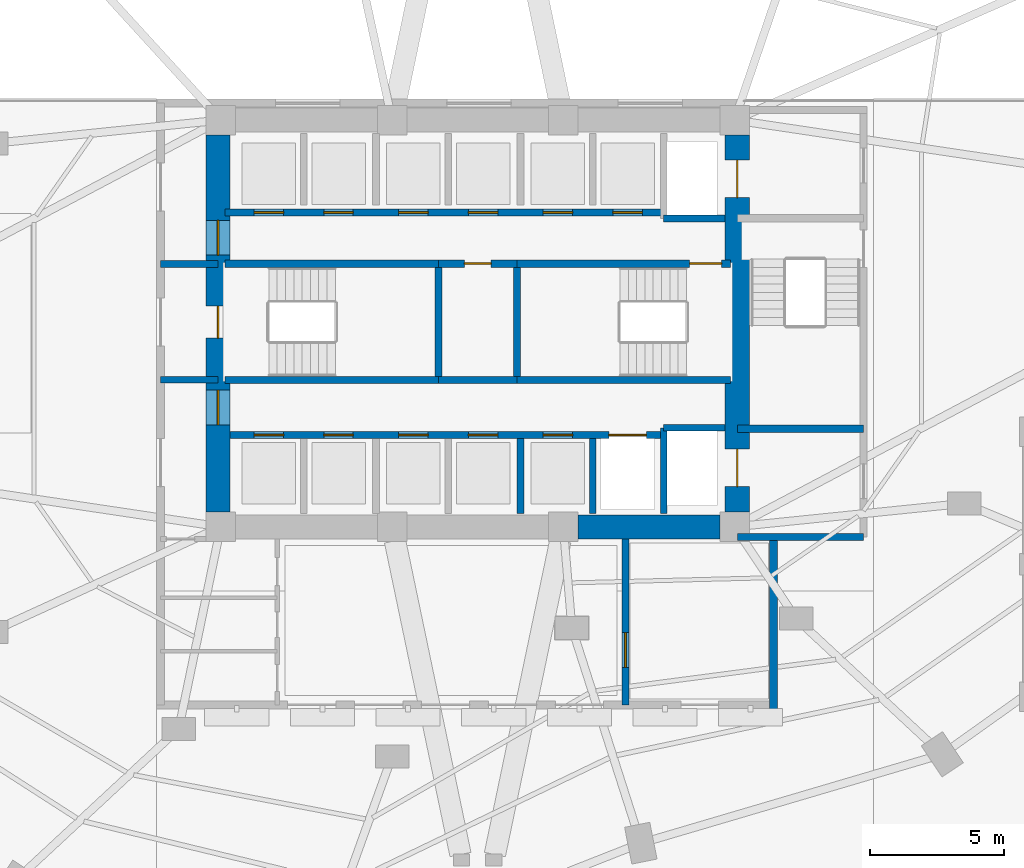
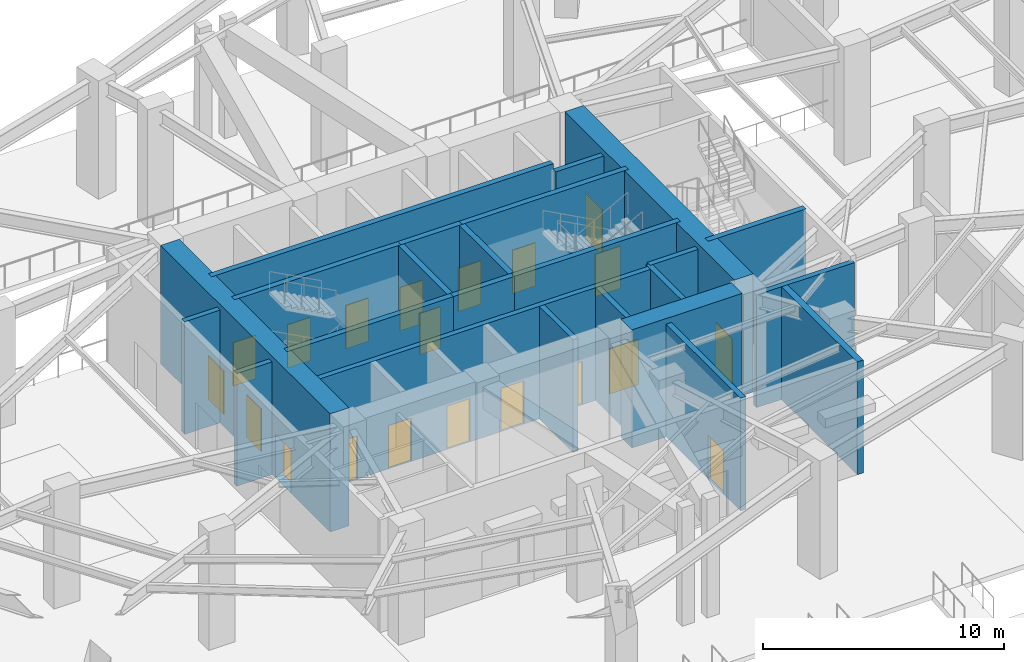
# One storey, part 9 of 14: 24 walls, 20 doors, 20 openings.
"""IFC4 building model written with IfcOpenShell, lengths in metres."""

from ifc_helpers import new_model, si_unit, direction, frame, frame_2d, origin, place, context, subcontext, project, spatial, rectangle, extrude, material, layer, layer_set, type_object, element, fill, save


model = new_model("IFC4")

# Units and contexts
model_context = context("Model", 3, precision=1e-05, world=origin(), true_north=direction((0.0, 1.0)))
body_context = subcontext(model_context, "Body", "Model", "MODEL_VIEW")
ifc_project = project(units=[si_unit("LENGTHUNIT", "METRE"), si_unit("AREAUNIT", "SQUARE_METRE"), si_unit("VOLUMEUNIT", "CUBIC_METRE"), si_unit("PLANEANGLEUNIT", "RADIAN"), si_unit("MASSUNIT", "GRAM", prefix="KILO")], contexts=[model_context])

# Site, building, storey
site_placement = place(None, origin())
site = spatial("IfcSite", under=ifc_project, at=site_placement, CompositionType="ELEMENT")
building_placement = place(site_placement, origin())
building = spatial("IfcBuilding", under=site, at=building_placement, Name="Lazwardi Medical Tower", CompositionType="ELEMENT")
storey_placement = place(building_placement, origin())
storey = spatial("IfcBuildingStorey", under=building, at=storey_placement, Name="L00", CompositionType="ELEMENT", Elevation=0.0)

# Wall, openings, doors
ifc_material_1 = material(Name="Concrete C80/95", Category="concrete")
ifc_layer_1 = layer(ifc_material_1, 0.89990234375)
ifc_layer_set_1 = layer_set([ifc_layer_1], Name="Concrete C80/95")
wall_type_1 = type_object("IfcWallType", Name="WL-CORE-900", PredefinedType="SHEAR", material=ifc_layer_set_1)
wall_1_placement = place(storey_placement, frame((26.300048828125, 20.949951171875, 0.0), z_axis=(0.0, 0.0, 1.0), x_axis=(0.0, 1.0, 0.0)))
wall_1 = element("IfcWall", 1, at=wall_1_placement, inside=storey, type_object=wall_type_1, Name="Core wall CW-S1 west L00", PredefinedType="SHEAR", context=body_context, shape_type="SweptSolid", body=[
    extrude(rectangle(XDim=14.10009765625, YDim=0.89990234375, at=frame_2d((7.050048828125, 0.0))), origin(), (0.0, 0.0, 1.0), 6.0),
])
opening_1_placement = place(wall_1_placement, frame((6.5, 0.0, 0.0)))
opening_1 = element("IfcOpeningElement", 2, at=opening_1_placement, cuts=wall_1, Name="Opening D-L00-009", PredefinedType="OPENING", context=body_context, shape_type="SweptSolid", body=[
    extrude(rectangle(XDim=1.199951171875, YDim=2.14990234375, at=frame_2d((0.60009765625, 1.074951171875))), frame((0.0, 0.4599609375, 0.0), z_axis=(0.0, -1.0, 0.0), x_axis=(1.0, 0.0, 0.0)), (0.0, 0.0, 1.0), 0.919921875),
])
opening_2_placement = place(wall_1_placement, frame((9.60009765625, 0.0, 0.0)))
opening_2 = element("IfcOpeningElement", 3, at=opening_2_placement, cuts=wall_1, Name="Opening D-L00-006", PredefinedType="OPENING", context=body_context, shape_type="SweptSolid", body=[
    extrude(rectangle(XDim=1.300048828125, YDim=2.199951171875, at=frame_2d((0.64990234375, 1.10009765625))), frame((0.0, 0.4599609375, 0.0), z_axis=(0.0, -1.0, 0.0), x_axis=(1.0, 0.0, 0.0)), (0.0, 0.0, 1.0), 0.919921875),
])
opening_3_placement = place(wall_1_placement, frame((3.260009765625, 0.0, 0.0)))
opening_3 = element("IfcOpeningElement", 4, at=opening_3_placement, cuts=wall_1, Name="Opening D-L00-007", PredefinedType="OPENING", context=body_context, shape_type="SweptSolid", body=[
    extrude(rectangle(XDim=1.300048828125, YDim=2.199951171875, at=frame_2d((0.64990234375, 1.10009765625))), frame((0.0, 0.4599609375, 0.0), z_axis=(0.0, -1.0, 0.0), x_axis=(1.0, 0.0, 0.0)), (0.0, 0.0, 1.0), 0.919921875),
])
ifc_material_2 = material(Name="Fire-rated steel leaf and frame", Category="steel")
door_type_1 = type_object("IfcDoorType", Name="DR-FFL-1300", OperationType="NOTDEFINED", PredefinedType="DOOR", material=ifc_material_2)
door_1_placement = place(opening_2_placement, origin())
door_1 = element("IfcDoor", 5, at=door_1_placement, inside=storey, type_object=door_type_1, Name="L00 North Lift Lobby Door", OperationType="SINGLE_SWING_LEFT", OverallHeight=2.199951171875, OverallWidth=1.300048828125, PredefinedType="DOOR", context=body_context, shape_type="SweptSolid", body=[
    extrude(rectangle(XDim=1.300048828125, YDim=2.199951171875, at=frame_2d((0.64990234375, 1.10009765625))), frame((0.0, 0.02490234375, 0.0), z_axis=(0.0, -1.0, 0.0), x_axis=(1.0, 0.0, 0.0)), (0.0, 0.0, 1.0), 0.050048828125),
])
fill(opening_2, door_1)
door_2_placement = place(opening_3_placement, origin())
door_2 = element("IfcDoor", 6, at=door_2_placement, inside=storey, type_object=door_type_1, Name="L00 South Lift Lobby Door", OperationType="SINGLE_SWING_RIGHT", OverallHeight=2.199951171875, OverallWidth=1.300048828125, PredefinedType="DOOR", context=body_context, shape_type="SweptSolid", body=[
    extrude(rectangle(XDim=1.300048828125, YDim=2.199951171875, at=frame_2d((0.64990234375, 1.10009765625))), frame((0.0, 0.02490234375, 0.0), z_axis=(0.0, -1.0, 0.0), x_axis=(1.0, 0.0, 0.0)), (0.0, 0.0, 1.0), 0.050048828125),
])
fill(opening_3, door_2)
door_type_2 = type_object("IfcDoorType", Name="DR-STR-1200", OperationType="NOTDEFINED", PredefinedType="DOOR", material=ifc_material_2)
door_3_placement = place(opening_1_placement, origin())
door_3 = element("IfcDoor", 7, at=door_3_placement, inside=storey, type_object=door_type_2, Name="L00 Exit Stair ST1 Door", OperationType="SINGLE_SWING_LEFT", OverallHeight=2.14990234375, OverallWidth=1.199951171875, PredefinedType="DOOR", context=body_context, shape_type="SweptSolid", body=[
    extrude(rectangle(XDim=1.199951171875, YDim=2.14990234375, at=frame_2d((0.60009765625, 1.074951171875))), frame((0.0, 0.02490234375, 0.0), z_axis=(0.0, -1.0, 0.0), x_axis=(1.0, 0.0, 0.0)), (0.0, 0.0, 1.0), 0.050048828125),
])
fill(opening_1, door_3)

wall_2_placement = place(storey_placement, frame((45.699951171875, 20.949951171875, 0.0), z_axis=(0.0, 0.0, 1.0), x_axis=(0.0, 1.0, 0.0)))
wall_2 = element("IfcWall", 8, at=wall_2_placement, inside=storey, type_object=wall_type_1, Name="Core wall CW-S1 east L00", PredefinedType="SHEAR", context=body_context, shape_type="SweptSolid", body=[
    extrude(rectangle(XDim=14.10009765625, YDim=0.89990234375, at=frame_2d((7.050048828125, 0.0))), origin(), (0.0, 0.0, 1.0), 6.0),
])
opening_4_placement = place(wall_2_placement, frame((11.75, 0.0, 0.0)))
opening_4 = element("IfcOpeningElement", 9, at=opening_4_placement, cuts=wall_2, Name="Opening LD-L00-001", PredefinedType="OPENING", context=body_context, shape_type="SweptSolid", body=[
    extrude(rectangle(XDim=1.39990234375, YDim=2.300048828125, at=frame_2d((0.699951171875, 1.14990234375))), frame((0.0, 0.4599609375, 0.0), z_axis=(0.0, -1.0, 0.0), x_axis=(1.0, 0.0, 0.0)), (0.0, 0.0, 1.0), 0.919921875),
])
opening_5_placement = place(wall_2_placement, frame((0.949951171875, 0.0, 0.0)))
opening_5 = element("IfcOpeningElement", 10, at=opening_5_placement, cuts=wall_2, Name="Opening LD-L00-002", PredefinedType="OPENING", context=body_context, shape_type="SweptSolid", body=[
    extrude(rectangle(XDim=1.39990234375, YDim=2.300048828125, at=frame_2d((0.699951171875, 1.14990234375))), frame((0.0, 0.4599609375, 0.0), z_axis=(0.0, -1.0, 0.0), x_axis=(1.0, 0.0, 0.0)), (0.0, 0.0, 1.0), 0.919921875),
])
ifc_material_3 = material(Name="Brushed stainless steel bed-lift landing door", Category="steel")
door_type_3 = type_object("IfcDoorType", Name="DR-LFT-1400", OperationType="NOTDEFINED", PredefinedType="DOOR", material=ifc_material_3)
door_4_placement = place(opening_4_placement, origin())
door_4 = element("IfcDoor", 11, at=door_4_placement, inside=storey, type_object=door_type_3, Name="L00 Lift Landing Door FL-01", OperationType="SLIDING_TO_LEFT", OverallHeight=2.300048828125, OverallWidth=1.39990234375, PredefinedType="DOOR", context=body_context, shape_type="SweptSolid", body=[
    extrude(rectangle(XDim=1.39990234375, YDim=2.300048828125, at=frame_2d((0.699951171875, 1.14990234375))), frame((0.0, 0.02490234375, 0.0), z_axis=(0.0, -1.0, 0.0), x_axis=(1.0, 0.0, 0.0)), (0.0, 0.0, 1.0), 0.050048828125),
])
fill(opening_4, door_4)
door_5_placement = place(opening_5_placement, origin())
door_5 = element("IfcDoor", 12, at=door_5_placement, inside=storey, type_object=door_type_3, Name="L00 Lift Landing Door FL-02", OperationType="SLIDING_TO_LEFT", OverallHeight=2.300048828125, OverallWidth=1.39990234375, PredefinedType="DOOR", context=body_context, shape_type="SweptSolid", body=[
    extrude(rectangle(XDim=1.39990234375, YDim=2.300048828125, at=frame_2d((0.699951171875, 1.14990234375))), frame((0.0, 0.02490234375, 0.0), z_axis=(0.0, -1.0, 0.0), x_axis=(1.0, 0.0, 0.0)), (0.0, 0.0, 1.0), 0.050048828125),
])
fill(opening_5, door_5)

# Wall
wall_3_placement = place(storey_placement, frame((39.75, 20.39990234375, 0.0), z_axis=(0.0, 0.0, 1.0), x_axis=(1.0, 0.0, 0.0)))
element("IfcWall", 13, at=wall_3_placement, inside=storey, type_object=wall_type_1, Name="Core wall CW-S1 S3 L00", PredefinedType="SHEAR", context=body_context, shape_type="SweptSolid", body=[
    extrude(rectangle(XDim=5.300048828125, YDim=0.89990234375, at=frame_2d((2.64990234375, 0.0))), origin(), (0.0, 0.0, 1.0), 6.0),
])

# Wall, opening, door
ifc_material_4 = material(Name="Autoclaved aerated concrete blockwork", Category="masonry")
ifc_layer_2 = layer(ifc_material_4, 0.260009765625)
ifc_layer_set_2 = layer_set([ifc_layer_2], Name="Autoclaved aerated concrete blockwork")
wall_type_2 = type_object("IfcWallType", Name="WL-FCC-260", PredefinedType="SOLIDWALL", material=ifc_layer_set_2)
wall_4_placement = place(storey_placement, frame((41.52001953125, 13.75, 0.0), z_axis=(0.0, 0.0, 1.0), x_axis=(0.0, 1.0, 0.0)))
wall_4 = element("IfcWall", 14, at=wall_4_placement, inside=storey, type_object=wall_type_2, Name="L00 Fire Command Centre West wall", PredefinedType="SOLIDWALL", context=body_context, shape_type="SweptSolid", body=[
    extrude(rectangle(XDim=6.199951171875, YDim=0.260009765625, at=frame_2d((3.10009765625, 0.0))), origin(), (0.0, 0.0, 1.0), 5.719970703125),
])
opening_6_placement = place(wall_4_placement, frame((1.39990234375, 0.0, 0.0)))
opening_6 = element("IfcOpeningElement", 15, at=opening_6_placement, cuts=wall_4, Name="Opening D-L00-003", PredefinedType="OPENING", context=body_context, shape_type="SweptSolid", body=[
    extrude(rectangle(XDim=1.300048828125, YDim=2.199951171875, at=frame_2d((0.64990234375, 1.10009765625))), frame((0.0, 0.139892578125, 0.0), z_axis=(0.0, -1.0, 0.0), x_axis=(1.0, 0.0, 0.0)), (0.0, 0.0, 1.0), 0.280029296875),
])
door_6_placement = place(opening_6_placement, origin())
door_6 = element("IfcDoor", 16, at=door_6_placement, inside=storey, type_object=door_type_1, Name="L00 Fire Command Centre Interior Door", OperationType="SINGLE_SWING_LEFT", OverallHeight=2.199951171875, OverallWidth=1.300048828125, PredefinedType="DOOR", context=body_context, shape_type="SweptSolid", body=[
    extrude(rectangle(XDim=1.300048828125, YDim=2.199951171875, at=frame_2d((0.64990234375, 1.10009765625))), frame((0.0, 0.02490234375, 0.0), z_axis=(0.0, -1.0, 0.0), x_axis=(1.0, 0.0, 0.0)), (0.0, 0.0, 1.0), 0.050048828125),
])
fill(opening_6, door_6)

# Wall
ifc_material_5 = material(Name="Precast concrete C45/55", Category="concrete")
ifc_layer_3 = layer(ifc_material_5, 0.300048828125)
ifc_layer_set_3 = layer_set([ifc_layer_3], Name="Precast concrete C45/55")
wall_type_3 = type_object("IfcWallType", Name="WL-LOBBY-300", PredefinedType="SOLIDWALL", material=ifc_layer_set_3)
wall_5_placement = place(storey_placement, frame((47.050048828125, 20.14990234375, 0.0), z_axis=(0.0, 0.0, 1.0), x_axis=(0.0, -1.0, 0.0)))
element("IfcWall", 17, at=wall_5_placement, inside=storey, type_object=wall_type_3, Name="L00 East Fire Command Exterior Wall", PredefinedType="SOLIDWALL", context=body_context, shape_type="SweptSolid", body=[
    extrude(rectangle(XDim=6.5498046875, YDim=0.300048828125, at=frame_2d((3.27490234375, 0.0))), origin(), (0.0, 0.0, 1.0), 5.719970703125),
])

# Wall, openings, doors
ifc_layer_4 = layer(ifc_material_4, 0.25)
ifc_layer_set_4 = layer_set([ifc_layer_4], Name="Autoclaved aerated concrete blockwork")
wall_type_4 = type_object("IfcWallType", Name="WL-SHAFT-250", PredefinedType="SOLIDWALL", material=ifc_layer_set_4)
wall_6_placement = place(storey_placement, frame((26.75, 23.830078125, 0.0), z_axis=(0.0, 0.0, 1.0), x_axis=(1.0, 0.0, 0.0)))
wall_6 = element("IfcWall", 18, at=wall_6_placement, inside=storey, type_object=wall_type_4, Name="L00 South lift bank front wall", PredefinedType="SOLIDWALL", context=body_context, shape_type="SweptSolid", body=[
    extrude(rectangle(XDim=16.199951171875, YDim=0.25, at=frame_2d((8.10009765625, 0.0))), origin(), (0.0, 0.0, 1.0), 5.719970703125),
])
opening_7_placement = place(wall_6_placement, frame((0.89990234375, 0.0, 0.0)))
opening_7 = element("IfcOpeningElement", 19, at=opening_7_placement, cuts=wall_6, Name="Opening LD-L00-006", PredefinedType="OPENING", context=body_context, shape_type="SweptSolid", body=[
    extrude(rectangle(XDim=1.10009765625, YDim=2.199951171875, at=frame_2d((0.550048828125, 1.10009765625))), frame((0.0, 0.135009765625, 0.0), z_axis=(0.0, -1.0, 0.0), x_axis=(1.0, 0.0, 0.0)), (0.0, 0.0, 1.0), 0.27001953125),
])
opening_8_placement = place(wall_6_placement, frame((3.5, 0.0, 0.0)))
opening_8 = element("IfcOpeningElement", 20, at=opening_8_placement, cuts=wall_6, Name="Opening LD-L00-007", PredefinedType="OPENING", context=body_context, shape_type="SweptSolid", body=[
    extrude(rectangle(XDim=1.10009765625, YDim=2.199951171875, at=frame_2d((0.550048828125, 1.10009765625))), frame((0.0, 0.135009765625, 0.0), z_axis=(0.0, -1.0, 0.0), x_axis=(1.0, 0.0, 0.0)), (0.0, 0.0, 1.0), 0.27001953125),
])
opening_9_placement = place(wall_6_placement, frame((6.300048828125, 0.0, 0.0)))
opening_9 = element("IfcOpeningElement", 21, at=opening_9_placement, cuts=wall_6, Name="Opening LD-L00-010", PredefinedType="OPENING", context=body_context, shape_type="SweptSolid", body=[
    extrude(rectangle(XDim=1.10009765625, YDim=2.199951171875, at=frame_2d((0.550048828125, 1.10009765625))), frame((0.0, 0.135009765625, 0.0), z_axis=(0.0, -1.0, 0.0), x_axis=(1.0, 0.0, 0.0)), (0.0, 0.0, 1.0), 0.27001953125),
])
opening_10_placement = place(wall_6_placement, frame((8.89990234375, 0.0, 0.0)))
opening_10 = element("IfcOpeningElement", 22, at=opening_10_placement, cuts=wall_6, Name="Opening LD-L00-011", PredefinedType="OPENING", context=body_context, shape_type="SweptSolid", body=[
    extrude(rectangle(XDim=1.10009765625, YDim=2.199951171875, at=frame_2d((0.550048828125, 1.10009765625))), frame((0.0, 0.135009765625, 0.0), z_axis=(0.0, -1.0, 0.0), x_axis=(1.0, 0.0, 0.0)), (0.0, 0.0, 1.0), 0.27001953125),
])
opening_11_placement = place(wall_6_placement, frame((11.699951171875, 0.0, 0.0)))
opening_11 = element("IfcOpeningElement", 23, at=opening_11_placement, cuts=wall_6, Name="Opening LD-L00-014", PredefinedType="OPENING", context=body_context, shape_type="SweptSolid", body=[
    extrude(rectangle(XDim=1.10009765625, YDim=2.199951171875, at=frame_2d((0.550048828125, 1.10009765625))), frame((0.0, 0.135009765625, 0.0), z_axis=(0.0, -1.0, 0.0), x_axis=(1.0, 0.0, 0.0)), (0.0, 0.0, 1.0), 0.27001953125),
])
opening_12_placement = place(wall_6_placement, frame((14.14990234375, 0.0, 0.0)))
opening_12 = element("IfcOpeningElement", 24, at=opening_12_placement, cuts=wall_6, Name="Opening LD-L00-003", PredefinedType="OPENING", context=body_context, shape_type="SweptSolid", body=[
    extrude(rectangle(XDim=1.39990234375, YDim=2.300048828125, at=frame_2d((0.699951171875, 1.14990234375))), frame((0.0, 0.135009765625, 0.0), z_axis=(0.0, -1.0, 0.0), x_axis=(1.0, 0.0, 0.0)), (0.0, 0.0, 1.0), 0.27001953125),
])
ifc_material_6 = material(Name="Brushed bronze stainless steel landing door", Category="steel")
door_type_4 = type_object("IfcDoorType", Name="DR-LFT-1100", OperationType="NOTDEFINED", PredefinedType="DOOR", material=ifc_material_6)
door_7_placement = place(opening_7_placement, origin())
door_7 = element("IfcDoor", 25, at=door_7_placement, inside=storey, type_object=door_type_4, Name="L00 Lift Landing Door PL-03", OperationType="SLIDING_TO_LEFT", OverallHeight=2.199951171875, OverallWidth=1.10009765625, PredefinedType="DOOR", context=body_context, shape_type="SweptSolid", body=[
    extrude(rectangle(XDim=1.10009765625, YDim=2.199951171875, at=frame_2d((0.550048828125, 1.10009765625))), frame((0.0, 0.02490234375, 0.0), z_axis=(0.0, -1.0, 0.0), x_axis=(1.0, 0.0, 0.0)), (0.0, 0.0, 1.0), 0.050048828125),
])
fill(opening_7, door_7)
door_8_placement = place(opening_8_placement, origin())
door_8 = element("IfcDoor", 26, at=door_8_placement, inside=storey, type_object=door_type_4, Name="L00 Lift Landing Door PL-04", OperationType="SLIDING_TO_LEFT", OverallHeight=2.199951171875, OverallWidth=1.10009765625, PredefinedType="DOOR", context=body_context, shape_type="SweptSolid", body=[
    extrude(rectangle(XDim=1.10009765625, YDim=2.199951171875, at=frame_2d((0.550048828125, 1.10009765625))), frame((0.0, 0.02490234375, 0.0), z_axis=(0.0, -1.0, 0.0), x_axis=(1.0, 0.0, 0.0)), (0.0, 0.0, 1.0), 0.050048828125),
])
fill(opening_8, door_8)
door_9_placement = place(opening_9_placement, origin())
door_9 = element("IfcDoor", 27, at=door_9_placement, inside=storey, type_object=door_type_4, Name="L00 Lift Landing Door PL-07", OperationType="SLIDING_TO_LEFT", OverallHeight=2.199951171875, OverallWidth=1.10009765625, PredefinedType="DOOR", context=body_context, shape_type="SweptSolid", body=[
    extrude(rectangle(XDim=1.10009765625, YDim=2.199951171875, at=frame_2d((0.550048828125, 1.10009765625))), frame((0.0, 0.02490234375, 0.0), z_axis=(0.0, -1.0, 0.0), x_axis=(1.0, 0.0, 0.0)), (0.0, 0.0, 1.0), 0.050048828125),
])
fill(opening_9, door_9)
door_10_placement = place(opening_10_placement, origin())
door_10 = element("IfcDoor", 28, at=door_10_placement, inside=storey, type_object=door_type_4, Name="L00 Lift Landing Door PL-08", OperationType="SLIDING_TO_LEFT", OverallHeight=2.199951171875, OverallWidth=1.10009765625, PredefinedType="DOOR", context=body_context, shape_type="SweptSolid", body=[
    extrude(rectangle(XDim=1.10009765625, YDim=2.199951171875, at=frame_2d((0.550048828125, 1.10009765625))), frame((0.0, 0.02490234375, 0.0), z_axis=(0.0, -1.0, 0.0), x_axis=(1.0, 0.0, 0.0)), (0.0, 0.0, 1.0), 0.050048828125),
])
fill(opening_10, door_10)
door_11_placement = place(opening_11_placement, origin())
door_11 = element("IfcDoor", 29, at=door_11_placement, inside=storey, type_object=door_type_4, Name="L00 Lift Landing Door PL-11", OperationType="SLIDING_TO_LEFT", OverallHeight=2.199951171875, OverallWidth=1.10009765625, PredefinedType="DOOR", context=body_context, shape_type="SweptSolid", body=[
    extrude(rectangle(XDim=1.10009765625, YDim=2.199951171875, at=frame_2d((0.550048828125, 1.10009765625))), frame((0.0, 0.02490234375, 0.0), z_axis=(0.0, -1.0, 0.0), x_axis=(1.0, 0.0, 0.0)), (0.0, 0.0, 1.0), 0.050048828125),
])
fill(opening_11, door_11)
door_12_placement = place(opening_12_placement, origin())
door_12 = element("IfcDoor", 30, at=door_12_placement, inside=storey, type_object=door_type_3, Name="L00 Lift Landing Door FL-03", OperationType="SLIDING_TO_LEFT", OverallHeight=2.300048828125, OverallWidth=1.39990234375, PredefinedType="DOOR", context=body_context, shape_type="SweptSolid", body=[
    extrude(rectangle(XDim=1.39990234375, YDim=2.300048828125, at=frame_2d((0.699951171875, 1.14990234375))), frame((0.0, 0.02490234375, 0.0), z_axis=(0.0, -1.0, 0.0), x_axis=(1.0, 0.0, 0.0)), (0.0, 0.0, 1.0), 0.050048828125),
])
fill(opening_12, door_12)

# Walls
wall_7_placement = place(storey_placement, frame((42.949951171875, 31.919921875, 0.0), z_axis=(0.0, 0.0, 1.0), x_axis=(1.0, 0.0, 0.0)))
element("IfcWall", 31, at=wall_7_placement, inside=storey, type_object=wall_type_4, Name="L00 FL-01 South shaft wall", PredefinedType="SOLIDWALL", context=body_context, shape_type="SweptSolid", body=[
    extrude(rectangle(XDim=2.300048828125, YDim=0.25, at=frame_2d((1.14990234375, 0.0))), origin(), (0.0, 0.0, 1.0), 5.719970703125),
])
wall_8_placement = place(storey_placement, frame((42.949951171875, 20.89990234375, 0.0), z_axis=(0.0, 0.0, 1.0), x_axis=(0.0, 1.0, 0.0)))
element("IfcWall", 32, at=wall_8_placement, inside=storey, type_object=wall_type_4, Name="L00 FL-02 West shaft wall", PredefinedType="SOLIDWALL", context=body_context, shape_type="SweptSolid", body=[
    extrude(rectangle(XDim=3.2001953125, YDim=0.25, at=frame_2d((1.60009765625, 0.0))), origin(), (0.0, 0.0, 1.0), 5.719970703125),
])
wall_9_placement = place(storey_placement, frame((42.949951171875, 24.10009765625, 0.0), z_axis=(0.0, 0.0, 1.0), x_axis=(1.0, 0.0, 0.0)))
element("IfcWall", 33, at=wall_9_placement, inside=storey, type_object=wall_type_4, Name="L00 FL-02 North shaft wall", PredefinedType="SOLIDWALL", context=body_context, shape_type="SweptSolid", body=[
    extrude(rectangle(XDim=2.300048828125, YDim=0.25, at=frame_2d((1.14990234375, 0.0))), origin(), (0.0, 0.0, 1.0), 5.719970703125),
])
for number, where, z_axis, x_axis, name in (
    (34, (37.60009765625, 20.89990234375, 0.0), (0.0, 0.0, 1.0), (0.0, 1.0, 0.0), "L00 South hoistway divider"),
    (35, (40.300048828125, 20.89990234375, 0.0), (0.0, 0.0, 1.0), (0.0, 1.0, 0.0), "L00 South hoistway divider"),
):
    element("IfcWall", number, at=place(storey_placement, frame(where, z_axis=z_axis, x_axis=x_axis)), inside=storey, type_object=wall_type_4, Name=name, PredefinedType="SOLIDWALL", context=body_context, shape_type="SweptSolid", body=[
        extrude(rectangle(XDim=2.800048828125, YDim=0.25, at=frame_2d((1.39990234375, 0.0))), origin(), (0.0, 0.0, 1.0), 5.719970703125),
    ])
wall_10_placement = place(storey_placement, frame((45.699951171875, 20.02001953125, 0.0), z_axis=(0.0, 0.0, 1.0), x_axis=(1.0, 0.0, 0.0)))
element("IfcWall", 36, at=wall_10_placement, inside=storey, type_object=wall_type_4, Name="L00 FFL-S South wall", PredefinedType="SOLIDWALL", context=body_context, shape_type="SweptSolid", body=[
    extrude(rectangle(XDim=4.715087890625, YDim=0.25, at=frame_2d((2.357421875, 0.0))), origin(), (0.0, 0.0, 1.0), 5.719970703125),
])
for number, where, z_axis, x_axis, name in (
    (37, (24.14990234375, 30.22509765625, 0.0), (0.0, 0.0, 1.0), (1.0, 0.0, 0.0), "L00 West Exit Passage North wall"),
    (38, (24.14990234375, 25.89501953125, 0.0), (0.0, 0.0, 1.0), (1.0, 0.0, 0.0), "L00 West Exit Passage South wall"),
):
    element("IfcWall", number, at=place(storey_placement, frame(where, z_axis=z_axis, x_axis=x_axis)), inside=storey, type_object=wall_type_4, Name=name, PredefinedType="SOLIDWALL", context=body_context, shape_type="SweptSolid", body=[
        extrude(rectangle(XDim=2.150146484375, YDim=0.25, at=frame_2d((1.0751953125, 0.0))), origin(), (0.0, 0.0, 1.0), 5.719970703125),
    ])
ifc_material_7 = material(Name="Concrete C50/60", Category="concrete")
ifc_layer_5 = layer(ifc_material_7, 0.27001953125)
ifc_layer_set_5 = layer_set([ifc_layer_5], Name="Concrete C50/60")
wall_type_5 = type_object("IfcWallType", Name="WL-STR-250", PredefinedType="SHEAR", material=ifc_layer_set_5)
wall_11_placement = place(storey_placement, frame((26.550048828125, 30.235107421875, 0.0), z_axis=(0.0, 0.0, 1.0), x_axis=(1.0, 0.0, 0.0)))
element("IfcWall", 39, at=wall_11_placement, inside=storey, type_object=wall_type_5, Name="L00 ST1 North shear shaft wall SW-S1", PredefinedType="SHEAR", context=body_context, shape_type="SweptSolid", body=[
    extrude(rectangle(XDim=7.98486328125, YDim=0.27001953125, at=frame_2d((3.992431640625, 0.0))), origin(), (0.0, 0.0, 1.0), 6.0),
])

# Wall, opening, door
wall_12_placement = place(storey_placement, frame((34.534912109375, 30.235107421875, 0.0), z_axis=(0.0, 0.0, 1.0), x_axis=(1.0, 0.0, 0.0)))
wall_12 = element("IfcWall", 40, at=wall_12_placement, inside=storey, type_object=wall_type_5, Name="L00 Core service North shear wall SW-S1", PredefinedType="SHEAR", context=body_context, shape_type="SweptSolid", body=[
    extrude(rectangle(XDim=2.93017578125, YDim=0.27001953125, at=frame_2d((1.465087890625, 0.0))), origin(), (0.0, 0.0, 1.0), 6.0),
])
opening_13_placement = place(wall_12_placement, frame((0.965087890625, 0.0, 0.0)))
opening_13 = element("IfcOpeningElement", 41, at=opening_13_placement, cuts=wall_12, Name="Opening D-L00-002", PredefinedType="OPENING", context=body_context, shape_type="SweptSolid", body=[
    extrude(rectangle(XDim=1.0, YDim=2.10009765625, at=frame_2d((0.5, 1.050048828125))), frame((0.0, 0.14501953125, 0.0), z_axis=(0.0, -1.0, 0.0), x_axis=(1.0, 0.0, 0.0)), (0.0, 0.0, 1.0), 0.2900390625),
])
ifc_material_8 = material(Name="Moisture-resistant laminate door leaf")
door_type_5 = type_object("IfcDoorType", Name="DR-AWC-1000", OperationType="NOTDEFINED", PredefinedType="DOOR", material=ifc_material_8)
door_13_placement = place(opening_13_placement, origin())
door_13 = element("IfcDoor", 42, at=door_13_placement, inside=storey, type_object=door_type_5, Name="L00 Accessible WC Door", OperationType="SINGLE_SWING_RIGHT", OverallHeight=2.10009765625, OverallWidth=1.0, PredefinedType="DOOR", context=body_context, shape_type="SweptSolid", body=[
    extrude(rectangle(XDim=1.0, YDim=2.10009765625, at=frame_2d((0.5, 1.050048828125))), frame((0.0, 0.02490234375, 0.0), z_axis=(0.0, -1.0, 0.0), x_axis=(1.0, 0.0, 0.0)), (0.0, 0.0, 1.0), 0.050048828125),
])
fill(opening_13, door_13)

wall_13_placement = place(storey_placement, frame((37.465087890625, 30.235107421875, 0.0), z_axis=(0.0, 0.0, 1.0), x_axis=(1.0, 0.0, 0.0)))
wall_13 = element("IfcWall", 43, at=wall_13_placement, inside=storey, type_object=wall_type_5, Name="L00 ST2 North shear shaft wall SW-S1", PredefinedType="SHEAR", context=body_context, shape_type="SweptSolid", body=[
    extrude(rectangle(XDim=7.98486328125, YDim=0.27001953125, at=frame_2d((3.992431640625, 0.0))), origin(), (0.0, 0.0, 1.0), 6.0),
])
opening_14_placement = place(wall_13_placement, frame((6.455078125, 0.0, 0.0)))
opening_14 = element("IfcOpeningElement", 44, at=opening_14_placement, cuts=wall_13, Name="Opening D-L00-010", PredefinedType="OPENING", context=body_context, shape_type="SweptSolid", body=[
    extrude(rectangle(XDim=1.199951171875, YDim=2.14990234375, at=frame_2d((0.60009765625, 1.074951171875))), frame((0.0, 0.14501953125, 0.0), z_axis=(0.0, -1.0, 0.0), x_axis=(1.0, 0.0, 0.0)), (0.0, 0.0, 1.0), 0.2900390625),
])
door_14_placement = place(opening_14_placement, origin())
door_14 = element("IfcDoor", 45, at=door_14_placement, inside=storey, type_object=door_type_2, Name="L00 Exit Stair ST2 Door", OperationType="SINGLE_SWING_RIGHT", OverallHeight=2.14990234375, OverallWidth=1.199951171875, PredefinedType="DOOR", context=body_context, shape_type="SweptSolid", body=[
    extrude(rectangle(XDim=1.199951171875, YDim=2.14990234375, at=frame_2d((0.60009765625, 1.074951171875))), frame((0.0, 0.02490234375, 0.0), z_axis=(0.0, -1.0, 0.0), x_axis=(1.0, 0.0, 0.0)), (0.0, 0.0, 1.0), 0.050048828125),
])
fill(opening_14, door_14)

# Walls
wall_14_placement = place(storey_placement, frame((26.550048828125, 25.885009765625, 0.0), z_axis=(0.0, 0.0, 1.0), x_axis=(1.0, 0.0, 0.0)))
element("IfcWall", 46, at=wall_14_placement, inside=storey, type_object=wall_type_5, Name="L00 ST1 South shear shaft wall SW-S1", PredefinedType="SHEAR", context=body_context, shape_type="SweptSolid", body=[
    extrude(rectangle(XDim=7.98486328125, YDim=0.27001953125, at=frame_2d((3.992431640625, 0.0))), origin(), (0.0, 0.0, 1.0), 6.0),
])
wall_15_placement = place(storey_placement, frame((34.534912109375, 25.885009765625, 0.0), z_axis=(0.0, 0.0, 1.0), x_axis=(1.0, 0.0, 0.0)))
element("IfcWall", 47, at=wall_15_placement, inside=storey, type_object=wall_type_5, Name="L00 Core service South shear wall SW-S1", PredefinedType="SHEAR", context=body_context, shape_type="SweptSolid", body=[
    extrude(rectangle(XDim=2.93017578125, YDim=0.27001953125, at=frame_2d((1.465087890625, 0.0))), origin(), (0.0, 0.0, 1.0), 6.0),
])
wall_16_placement = place(storey_placement, frame((37.465087890625, 25.885009765625, 0.0), z_axis=(0.0, 0.0, 1.0), x_axis=(1.0, 0.0, 0.0)))
element("IfcWall", 48, at=wall_16_placement, inside=storey, type_object=wall_type_5, Name="L00 ST2 South shear shaft wall SW-S1", PredefinedType="SHEAR", context=body_context, shape_type="SweptSolid", body=[
    extrude(rectangle(XDim=7.98486328125, YDim=0.27001953125, at=frame_2d((3.992431640625, 0.0))), origin(), (0.0, 0.0, 1.0), 6.0),
])
for number, where, z_axis, x_axis, name in (
    (49, (34.534912109375, 26.02001953125, 0.0), (0.0, 0.0, 1.0), (0.0, 1.0, 0.0), "L00 ST1 East shear shaft wall SW-S1"),
    (50, (37.465087890625, 26.02001953125, 0.0), (0.0, 0.0, 1.0), (0.0, 1.0, 0.0), "L00 ST2 West shear shaft wall SW-S1"),
):
    element("IfcWall", number, at=place(storey_placement, frame(where, z_axis=z_axis, x_axis=x_axis)), inside=storey, type_object=wall_type_5, Name=name, PredefinedType="SHEAR", context=body_context, shape_type="SweptSolid", body=[
        extrude(rectangle(XDim=4.080078125, YDim=0.27001953125, at=frame_2d((2.0400390625, 0.0))), origin(), (0.0, 0.0, 1.0), 6.0),
    ])

# Wall, openings, doors
wall_17_placement = place(storey_placement, frame((26.550048828125, 32.14990234375, 0.0), z_axis=(0.0, 0.0, 1.0), x_axis=(1.0, 0.0, 0.0)))
wall_17 = element("IfcWall", 51, at=wall_17_placement, inside=storey, type_object=wall_type_5, Name="L00 North lift bank shear wall SW-S1", PredefinedType="SHEAR", context=body_context, shape_type="SweptSolid", body=[
    extrude(rectangle(XDim=16.39990234375, YDim=0.27001953125, at=frame_2d((8.199951171875, 0.0))), origin(), (0.0, 0.0, 1.0), 6.0),
])
opening_15_placement = place(wall_17_placement, frame((1.10009765625, 0.0, 0.0)))
opening_15 = element("IfcOpeningElement", 52, at=opening_15_placement, cuts=wall_17, Name="Opening LD-L00-004", PredefinedType="OPENING", context=body_context, shape_type="SweptSolid", body=[
    extrude(rectangle(XDim=1.10009765625, YDim=2.199951171875, at=frame_2d((0.550048828125, 1.10009765625))), frame((0.0, 0.14501953125, 0.0), z_axis=(0.0, -1.0, 0.0), x_axis=(1.0, 0.0, 0.0)), (0.0, 0.0, 1.0), 0.2900390625),
])
opening_16_placement = place(wall_17_placement, frame((3.699951171875, 0.0, 0.0)))
opening_16 = element("IfcOpeningElement", 53, at=opening_16_placement, cuts=wall_17, Name="Opening LD-L00-005", PredefinedType="OPENING", context=body_context, shape_type="SweptSolid", body=[
    extrude(rectangle(XDim=1.10009765625, YDim=2.199951171875, at=frame_2d((0.550048828125, 1.10009765625))), frame((0.0, 0.14501953125, 0.0), z_axis=(0.0, -1.0, 0.0), x_axis=(1.0, 0.0, 0.0)), (0.0, 0.0, 1.0), 0.2900390625),
])
opening_17_placement = place(wall_17_placement, frame((6.5, 0.0, 0.0)))
opening_17 = element("IfcOpeningElement", 54, at=opening_17_placement, cuts=wall_17, Name="Opening LD-L00-008", PredefinedType="OPENING", context=body_context, shape_type="SweptSolid", body=[
    extrude(rectangle(XDim=1.10009765625, YDim=2.199951171875, at=frame_2d((0.550048828125, 1.10009765625))), frame((0.0, 0.14501953125, 0.0), z_axis=(0.0, -1.0, 0.0), x_axis=(1.0, 0.0, 0.0)), (0.0, 0.0, 1.0), 0.2900390625),
])
opening_18_placement = place(wall_17_placement, frame((9.10009765625, 0.0, 0.0)))
opening_18 = element("IfcOpeningElement", 55, at=opening_18_placement, cuts=wall_17, Name="Opening LD-L00-009", PredefinedType="OPENING", context=body_context, shape_type="SweptSolid", body=[
    extrude(rectangle(XDim=1.10009765625, YDim=2.199951171875, at=frame_2d((0.550048828125, 1.10009765625))), frame((0.0, 0.14501953125, 0.0), z_axis=(0.0, -1.0, 0.0), x_axis=(1.0, 0.0, 0.0)), (0.0, 0.0, 1.0), 0.2900390625),
])
opening_19_placement = place(wall_17_placement, frame((11.89990234375, 0.0, 0.0)))
opening_19 = element("IfcOpeningElement", 56, at=opening_19_placement, cuts=wall_17, Name="Opening LD-L00-012", PredefinedType="OPENING", context=body_context, shape_type="SweptSolid", body=[
    extrude(rectangle(XDim=1.10009765625, YDim=2.199951171875, at=frame_2d((0.550048828125, 1.10009765625))), frame((0.0, 0.14501953125, 0.0), z_axis=(0.0, -1.0, 0.0), x_axis=(1.0, 0.0, 0.0)), (0.0, 0.0, 1.0), 0.2900390625),
])
opening_20_placement = place(wall_17_placement, frame((14.5, 0.0, 0.0)))
opening_20 = element("IfcOpeningElement", 57, at=opening_20_placement, cuts=wall_17, Name="Opening LD-L00-013", PredefinedType="OPENING", context=body_context, shape_type="SweptSolid", body=[
    extrude(rectangle(XDim=1.10009765625, YDim=2.199951171875, at=frame_2d((0.550048828125, 1.10009765625))), frame((0.0, 0.14501953125, 0.0), z_axis=(0.0, -1.0, 0.0), x_axis=(1.0, 0.0, 0.0)), (0.0, 0.0, 1.0), 0.2900390625),
])
door_15_placement = place(opening_15_placement, origin())
door_15 = element("IfcDoor", 58, at=door_15_placement, inside=storey, type_object=door_type_4, Name="L00 Lift Landing Door PL-01", OperationType="SLIDING_TO_LEFT", OverallHeight=2.199951171875, OverallWidth=1.10009765625, PredefinedType="DOOR", context=body_context, shape_type="SweptSolid", body=[
    extrude(rectangle(XDim=1.10009765625, YDim=2.199951171875, at=frame_2d((0.550048828125, 1.10009765625))), frame((0.0, 0.02490234375, 0.0), z_axis=(0.0, -1.0, 0.0), x_axis=(1.0, 0.0, 0.0)), (0.0, 0.0, 1.0), 0.050048828125),
])
fill(opening_15, door_15)
door_16_placement = place(opening_16_placement, origin())
door_16 = element("IfcDoor", 59, at=door_16_placement, inside=storey, type_object=door_type_4, Name="L00 Lift Landing Door PL-02", OperationType="SLIDING_TO_LEFT", OverallHeight=2.199951171875, OverallWidth=1.10009765625, PredefinedType="DOOR", context=body_context, shape_type="SweptSolid", body=[
    extrude(rectangle(XDim=1.10009765625, YDim=2.199951171875, at=frame_2d((0.550048828125, 1.10009765625))), frame((0.0, 0.02490234375, 0.0), z_axis=(0.0, -1.0, 0.0), x_axis=(1.0, 0.0, 0.0)), (0.0, 0.0, 1.0), 0.050048828125),
])
fill(opening_16, door_16)
door_17_placement = place(opening_17_placement, origin())
door_17 = element("IfcDoor", 60, at=door_17_placement, inside=storey, type_object=door_type_4, Name="L00 Lift Landing Door PL-05", OperationType="SLIDING_TO_LEFT", OverallHeight=2.199951171875, OverallWidth=1.10009765625, PredefinedType="DOOR", context=body_context, shape_type="SweptSolid", body=[
    extrude(rectangle(XDim=1.10009765625, YDim=2.199951171875, at=frame_2d((0.550048828125, 1.10009765625))), frame((0.0, 0.02490234375, 0.0), z_axis=(0.0, -1.0, 0.0), x_axis=(1.0, 0.0, 0.0)), (0.0, 0.0, 1.0), 0.050048828125),
])
fill(opening_17, door_17)
door_18_placement = place(opening_18_placement, origin())
door_18 = element("IfcDoor", 61, at=door_18_placement, inside=storey, type_object=door_type_4, Name="L00 Lift Landing Door PL-06", OperationType="SLIDING_TO_LEFT", OverallHeight=2.199951171875, OverallWidth=1.10009765625, PredefinedType="DOOR", context=body_context, shape_type="SweptSolid", body=[
    extrude(rectangle(XDim=1.10009765625, YDim=2.199951171875, at=frame_2d((0.550048828125, 1.10009765625))), frame((0.0, 0.02490234375, 0.0), z_axis=(0.0, -1.0, 0.0), x_axis=(1.0, 0.0, 0.0)), (0.0, 0.0, 1.0), 0.050048828125),
])
fill(opening_18, door_18)
door_19_placement = place(opening_19_placement, origin())
door_19 = element("IfcDoor", 62, at=door_19_placement, inside=storey, type_object=door_type_4, Name="L00 Lift Landing Door PL-09", OperationType="SLIDING_TO_LEFT", OverallHeight=2.199951171875, OverallWidth=1.10009765625, PredefinedType="DOOR", context=body_context, shape_type="SweptSolid", body=[
    extrude(rectangle(XDim=1.10009765625, YDim=2.199951171875, at=frame_2d((0.550048828125, 1.10009765625))), frame((0.0, 0.02490234375, 0.0), z_axis=(0.0, -1.0, 0.0), x_axis=(1.0, 0.0, 0.0)), (0.0, 0.0, 1.0), 0.050048828125),
])
fill(opening_19, door_19)
door_20_placement = place(opening_20_placement, origin())
door_20 = element("IfcDoor", 63, at=door_20_placement, inside=storey, type_object=door_type_4, Name="L00 Lift Landing Door PL-10", OperationType="SLIDING_TO_LEFT", OverallHeight=2.199951171875, OverallWidth=1.10009765625, PredefinedType="DOOR", context=body_context, shape_type="SweptSolid", body=[
    extrude(rectangle(XDim=1.10009765625, YDim=2.199951171875, at=frame_2d((0.550048828125, 1.10009765625))), frame((0.0, 0.02490234375, 0.0), z_axis=(0.0, -1.0, 0.0), x_axis=(1.0, 0.0, 0.0)), (0.0, 0.0, 1.0), 0.050048828125),
])
fill(opening_20, door_20)

# Wall
wall_18_placement = place(storey_placement, frame((45.699951171875, 24.06494140625, 0.0), z_axis=(0.0, 0.0, 1.0), x_axis=(1.0, 0.0, 0.0)))
element("IfcWall", 64, at=wall_18_placement, inside=storey, type_object=wall_type_5, Name="L00 ST3 South shear shaft wall SW-S1", PredefinedType="SHEAR", context=body_context, shape_type="SweptSolid", body=[
    extrude(rectangle(XDim=4.715087890625, YDim=0.27001953125, at=frame_2d((2.357421875, 0.0))), origin(), (0.0, 0.0, 1.0), 6.0),
])

save(model, "model.ifc")
